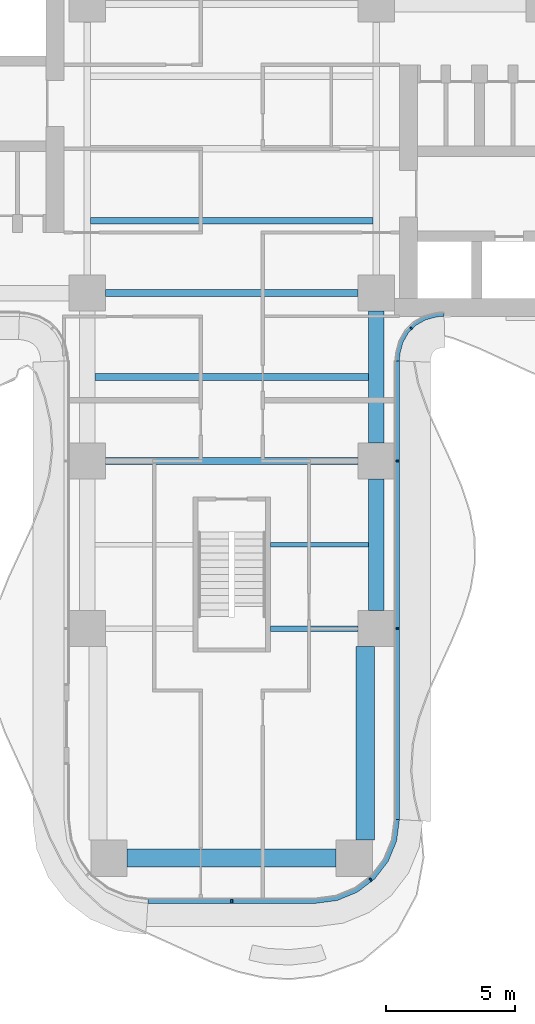
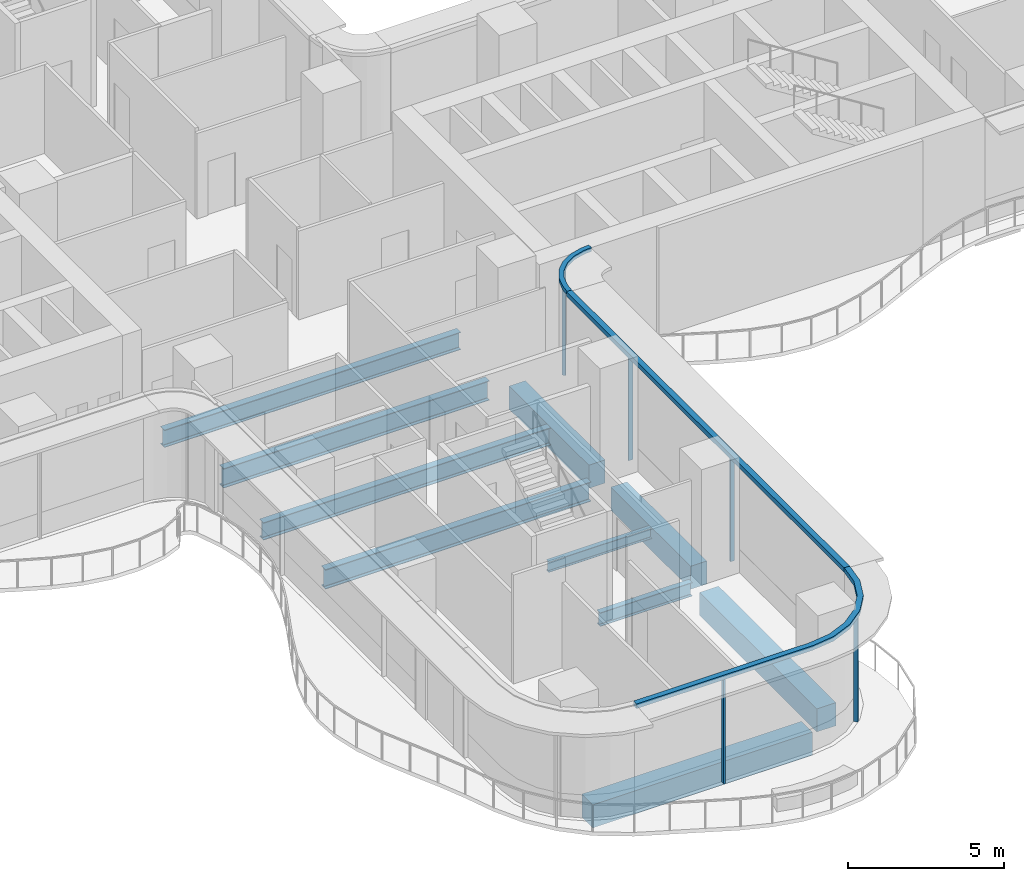
# One storey, part 5 of 22: 10 beams, 8 members, 3 elements without a shape of their own.
"""IFC4 building model written with IfcOpenShell, lengths in metres."""

from ifc_helpers import new_model, si_unit, direction, frame, origin, origin_2d, place, context, subcontext, project, spatial, polyline, rectangle, i_section, outline, extrude, source, transform, mapped, material, layer, layer_set, material_profile, profile_set, type_object, element, aggregate, save


model = new_model("IFC4")

# Units and contexts
model_context = context("Model", 3, precision=1e-05, world=origin(), true_north=direction((0.0, 1.0)))
body_context = subcontext(model_context, "Body", "Model", "MODEL_VIEW")
ifc_project = project(units=[si_unit("LENGTHUNIT", "METRE"), si_unit("AREAUNIT", "SQUARE_METRE"), si_unit("VOLUMEUNIT", "CUBIC_METRE"), si_unit("PLANEANGLEUNIT", "RADIAN"), si_unit("MASSUNIT", "GRAM", prefix="KILO")], contexts=[model_context])

# Site, building, storey
site_placement = place(None, origin())
site = spatial("IfcSite", under=ifc_project, at=site_placement, CompositionType="ELEMENT")
building_placement = place(site_placement, origin())
building = spatial("IfcBuilding", under=site, at=building_placement, Name="Trellis Farm Tower", CompositionType="ELEMENT")
storey_placement = place(building_placement, frame((0.0, 0.0, 56.5)))
storey = spatial("IfcBuildingStorey", under=building, at=storey_placement, Name="L11", CompositionType="ELEMENT", Elevation=56.5)

# Beams
ifc_material_1 = material(Name="Steel S355", Category="steel")
ifc_material_profile_1 = material_profile(ifc_material_1, i_section(OverallWidth=0.253662109375, OverallDepth=0.68359375, WebThickness=0.012451171875, FlangeThickness=0.021728515625, FilletRadius=0.01513671875, at=origin_2d()), Name="UB 686x254x140")
ifc_profile_set_1 = profile_set([ifc_material_profile_1], Name="Steel S355")
beam_type_1 = type_object("IfcBeamType", Name="UB 686x254x140 joist", PredefinedType="JOIST", material=ifc_profile_set_1)
shared_shape_1 = source(origin(), body_context, "Body", "SweptSolid", [
    extrude(i_section(OverallWidth=0.253662109375, OverallDepth=0.68359375, WebThickness=0.012451171875, FlangeThickness=0.021728515625, FilletRadius=0.01513671875, at=origin_2d()), origin(), (0.0, 0.0, 1.0), 10.93310546875),
])
beam_1_placement = place(storey_placement, frame((-5.466552734375, -2.800048828125, -0.591796875), z_axis=(1.0, 0.0, 0.0), x_axis=(0.0, 1.0, 0.0)))
element("IfcBeam", 1, at=beam_1_placement, inside=storey, type_object=beam_type_1, Name="Floor beam", PredefinedType="JOIST", context=body_context, shape_type="MappedRepresentation", body=[
    mapped(shared_shape_1, transform((0.0, 0.0, 0.0))),
])
ifc_material_profile_2 = material_profile(ifc_material_1, i_section(OverallWidth=0.209228515625, OverallDepth=0.533203125, WebThickness=0.010009765625, FlangeThickness=0.015625, FilletRadius=0.0126953125, at=origin_2d()), Name="UB 533x210x92")
ifc_profile_set_2 = profile_set([ifc_material_profile_2], Name="Steel S355")
beam_type_2 = type_object("IfcBeamType", Name="UB 533x210x92", PredefinedType="BEAM", material=ifc_profile_set_2)
shared_shape_2 = source(origin(), body_context, "Body", "SweptSolid", [
    extrude(i_section(OverallWidth=0.209228515625, OverallDepth=0.533203125, WebThickness=0.010009765625, FlangeThickness=0.015625, FilletRadius=0.0126953125, at=origin_2d()), origin(), (0.0, 0.0, 1.0), 3.39990234375),
])
beam_2_placement = place(storey_placement, frame((1.5, -18.60009765625, -0.5166015625), z_axis=(1.0, 0.0, 0.0), x_axis=(0.0, 1.0, 0.0)))
element("IfcBeam", 2, at=beam_2_placement, inside=storey, type_object=beam_type_2, Name="Girder", PredefinedType="BEAM", context=body_context, shape_type="MappedRepresentation", body=[
    mapped(shared_shape_2, transform((0.0, 0.0, 0.0))),
])
ifc_material_2 = material(Name="Concrete C60/75", Category="concrete")
ifc_material_profile_3 = material_profile(ifc_material_2, rectangle(XDim=0.60009765625, YDim=0.89990234375, at=origin_2d()), Name="RC spandrel beam 600x900 C60/75")
ifc_profile_set_3 = profile_set([ifc_material_profile_3], Name="Concrete C60/75")
beam_type_3 = type_object("IfcBeamType", Name="RC spandrel beam 600x900 C60/75", PredefinedType="SPANDREL", material=ifc_profile_set_3)
shared_shape_3 = source(origin(), body_context, "Body", "SweptSolid", [
    extrude(rectangle(XDim=0.60009765625, YDim=0.89990234375, at=origin_2d()), origin(), (0.0, 0.0, 1.0), 5.099853515625),
])
for number, where, z_axis, x_axis, name in (
    (3, (5.60009765625, -17.89990234375, -0.699951171875), (0.0, 1.0, 0.0), (-1.0, 0.0, 0.0), "Girder"),
    (4, (5.60009765625, -11.39990234375, -0.699951171875), (0.0, 1.0, 0.0), (-1.0, 0.0, 0.0), "Girder"),
):
    element("IfcBeam", number, at=place(storey_placement, frame(where, z_axis=z_axis, x_axis=x_axis)), inside=storey, type_object=beam_type_3, Name=name, PredefinedType="SPANDREL", context=body_context, shape_type="MappedRepresentation", body=[
        mapped(shared_shape_3, transform((0.0, 0.0, 0.0))),
    ])
ifc_material_profile_4 = material_profile(ifc_material_1, i_section(OverallWidth=0.2666015625, OverallDepth=0.76220703125, WebThickness=0.014404296875, FlangeThickness=0.021484375, FilletRadius=0.0166015625, at=origin_2d()), Name="UB 762x267x173")
ifc_profile_set_4 = profile_set([ifc_material_profile_4], Name="Steel S355")
beam_type_4 = type_object("IfcBeamType", Name="UB 762x267x173", PredefinedType="BEAM", material=ifc_profile_set_4)
shared_shape_4 = source(origin(), body_context, "Body", "SweptSolid", [
    extrude(i_section(OverallWidth=0.2666015625, OverallDepth=0.76220703125, WebThickness=0.014404296875, FlangeThickness=0.021484375, FilletRadius=0.0166015625, at=origin_2d()), origin(), (0.0, 0.0, 1.0), 9.7998046875),
])
for number, where, z_axis, x_axis, name in (
    (5, (-4.89990234375, -12.10009765625, -0.631103515625), (1.0, 0.0, 0.0), (0.0, 1.0, 0.0), "Girder"),
    (6, (-4.89990234375, -5.60009765625, -0.631103515625), (1.0, 0.0, 0.0), (0.0, 1.0, 0.0), "Girder"),
):
    element("IfcBeam", number, at=place(storey_placement, frame(where, z_axis=z_axis, x_axis=x_axis)), inside=storey, type_object=beam_type_4, Name=name, PredefinedType="BEAM", context=body_context, shape_type="MappedRepresentation", body=[
        mapped(shared_shape_4, transform((0.0, 0.0, 0.0))),
    ])
ifc_material_profile_5 = material_profile(ifc_material_2, rectangle(XDim=0.699951171875, YDim=0.89990234375, at=origin_2d()), Name="RC spandrel beam 700x900 C60/75")
ifc_profile_set_5 = profile_set([ifc_material_profile_5], Name="Concrete C60/75")
beam_type_5 = type_object("IfcBeamType", Name="RC spandrel beam 700x900 C60/75", PredefinedType="SPANDREL", material=ifc_profile_set_5)
shared_shape_5 = source(origin(), body_context, "Body", "SweptSolid", [
    extrude(rectangle(XDim=0.699951171875, YDim=0.89990234375, at=origin_2d()), origin(), (0.0, 0.0, 1.0), 8.10009765625),
])
beam_3_placement = place(storey_placement, frame((-4.050048828125, -27.5, -0.699951171875), z_axis=(1.0, 0.0, 0.0), x_axis=(0.0, 1.0, 0.0)))
element("IfcBeam", 7, at=beam_3_placement, inside=storey, type_object=beam_type_5, Name="Girder", PredefinedType="SPANDREL", context=body_context, shape_type="MappedRepresentation", body=[
    mapped(shared_shape_5, transform((0.0, 0.0, 0.0))),
])
shared_shape_6 = source(origin(), body_context, "Body", "SweptSolid", [
    extrude(rectangle(XDim=0.699951171875, YDim=0.89990234375, at=origin_2d()), origin(), (0.0, 0.0, 1.0), 7.5),
])
beam_4_placement = place(storey_placement, frame((5.175048828125, -26.800048828125, -0.699951171875), z_axis=(0.0, 1.0, 0.0), x_axis=(-1.0, 0.0, 0.0)))
element("IfcBeam", 8, at=beam_4_placement, inside=storey, type_object=beam_type_5, Name="Girder", PredefinedType="SPANDREL", context=body_context, shape_type="MappedRepresentation", body=[
    mapped(shared_shape_6, transform((0.0, 0.0, 0.0))),
])
ifc_material_profile_6 = material_profile(ifc_material_1, i_section(OverallWidth=0.177978515625, OverallDepth=0.406494140625, WebThickness=0.0078125, FlangeThickness=0.0126953125, FilletRadius=0.01025390625, at=origin_2d()), Name="UB 406x178x60")
ifc_profile_set_6 = profile_set([ifc_material_profile_6], Name="Steel S355")
beam_type_6 = type_object("IfcBeamType", Name="UB 406x178x60 joist", PredefinedType="JOIST", material=ifc_profile_set_6)
shared_shape_7 = source(origin(), body_context, "Body", "SweptSolid", [
    extrude(i_section(OverallWidth=0.177978515625, OverallDepth=0.406494140625, WebThickness=0.0078125, FlangeThickness=0.0126953125, FilletRadius=0.01025390625, at=origin_2d()), origin(), (0.0, 0.0, 1.0), 3.800048828125),
])
beam_5_placement = place(storey_placement, frame((1.5, -15.35009765625, -0.453125), z_axis=(1.0, 0.0, 0.0), x_axis=(0.0, 1.0, 0.0)))
element("IfcBeam", 9, at=beam_5_placement, inside=storey, type_object=beam_type_6, Name="Floor beam", PredefinedType="JOIST", context=body_context, shape_type="MappedRepresentation", body=[
    mapped(shared_shape_7, transform((0.0, 0.0, 0.0))),
])
shared_shape_8 = source(origin(), body_context, "Body", "SweptSolid", [
    extrude(i_section(OverallWidth=0.253662109375, OverallDepth=0.68359375, WebThickness=0.012451171875, FlangeThickness=0.021728515625, FilletRadius=0.01513671875, at=origin_2d()), origin(), (0.0, 0.0, 1.0), 10.60009765625),
])
beam_6_placement = place(storey_placement, frame((-5.300048828125, -8.85009765625, -0.591796875), z_axis=(1.0, 0.0, 0.0), x_axis=(0.0, 1.0, 0.0)))
element("IfcBeam", 10, at=beam_6_placement, inside=storey, type_object=beam_type_1, Name="Floor beam", PredefinedType="JOIST", context=body_context, shape_type="MappedRepresentation", body=[
    mapped(shared_shape_8, transform((0.0, 0.0, 0.0))),
])

# Curtain wall, members
ifc_material_3 = material(Name="Aluminium and glass curtain wall", Category="aluminium")
ifc_layer_1 = layer(ifc_material_3, 0.18994140625)
ifc_layer_set_1 = layer_set([ifc_layer_1], Name="RIBBON CURTAIN WALL CW1")
curtain_wall_type_1 = type_object("IfcCurtainWallType", Name="RIBBON CURTAIN WALL CW1", PredefinedType="NOTDEFINED", material=ifc_layer_set_1)
placement_1 = place(storey_placement, origin())
curtain_wall_1 = element("IfcCurtainWall", 11, at=placement_1, inside=storey, type_object=curtain_wall_type_1, Name="CW1 004", PredefinedType="NOTDEFINED")
ifc_material_4 = material(Name="Aluminium extrusion 6063-T6", Category="aluminium")
ifc_material_profile_7 = material_profile(ifc_material_4, rectangle(XDim=0.06005859375, YDim=0.14990234375, at=origin_2d()), Name="MULLION 60x150")
ifc_profile_set_7 = profile_set([ifc_material_profile_7], Name="Aluminium extrusion 6063-T6")
member_type_1 = type_object("IfcMemberType", Name="CW1 MULLION 60x150", PredefinedType="MULLION", material=ifc_profile_set_7)
shared_shape_9 = source(origin(), body_context, "Body", "SweptSolid", [
    extrude(rectangle(XDim=0.06005859375, YDim=0.14990234375, at=origin_2d()), origin(), (0.0, 0.0, 1.0), 4.070068359375),
])
member_1_placement = place(storey_placement, frame((0.0, -29.175048828125, 0.0), z_axis=(0.0, 0.0, 1.0), x_axis=(1.0, 0.0, 0.0)))
member_1 = element("IfcMember", 12, at=member_1_placement, type_object=member_type_1, Name="MU1 004-01", PredefinedType="MULLION", context=body_context, shape_type="MappedRepresentation", body=[
    mapped(shared_shape_9, transform((0.0, 0.0, 0.0))),
])
member_2_placement = place(storey_placement, frame((5.385498046875, -28.328369140625, 0.0), z_axis=(0.0, 0.0, 1.0), x_axis=(0.793353340291, 0.608761429009, 0.0)))
member_2 = element("IfcMember", 13, at=member_2_placement, type_object=member_type_1, Name="MU1 004-02", PredefinedType="MULLION", context=body_context, shape_type="MappedRepresentation", body=[
    mapped(shared_shape_9, transform((0.0, 0.0, 0.0))),
])

curtain_wall_2 = element("IfcCurtainWall", 14, at=placement_1, inside=storey, type_object=curtain_wall_type_1, Name="CW1 005", PredefinedType="NOTDEFINED")
member_3_placement = place(storey_placement, frame((6.425048828125, -18.60009765625, 0.0), z_axis=(0.0, 0.0, 1.0), x_axis=(0.0, 1.0, 0.0)))
member_3 = element("IfcMember", 15, at=member_3_placement, type_object=member_type_1, Name="MU1 005-01", PredefinedType="MULLION", context=body_context, shape_type="MappedRepresentation", body=[
    mapped(shared_shape_9, transform((0.0, 0.0, 0.0))),
])
member_4_placement = place(storey_placement, frame((6.425048828125, -12.10009765625, 0.0), z_axis=(0.0, 0.0, 1.0), x_axis=(0.0, 1.0, 0.0)))
member_4 = element("IfcMember", 16, at=member_4_placement, type_object=member_type_1, Name="MU1 005-02", PredefinedType="MULLION", context=body_context, shape_type="MappedRepresentation", body=[
    mapped(shared_shape_9, transform((0.0, 0.0, 0.0))),
])

# Curtain wall, member
ifc_layer_2 = layer(ifc_material_3, 0.166015625)
ifc_layer_set_2 = layer_set([ifc_layer_2], Name="WINTER GARDEN CURTAIN WALL CW3")
curtain_wall_type_2 = type_object("IfcCurtainWallType", Name="WINTER GARDEN CURTAIN WALL CW3", PredefinedType="NOTDEFINED", material=ifc_layer_set_2)
curtain_wall_3 = element("IfcCurtainWall", 17, at=placement_1, inside=storey, type_object=curtain_wall_type_2, Name="CW3 002", PredefinedType="NOTDEFINED")
ifc_material_profile_8 = material_profile(ifc_material_4, rectangle(XDim=0.050048828125, YDim=0.1201171875, at=origin_2d()), Name="MULLION 50x120")
ifc_profile_set_8 = profile_set([ifc_material_profile_8], Name="Aluminium extrusion 6063-T6")
member_type_2 = type_object("IfcMemberType", Name="CW3 MULLION 50x120", PredefinedType="MULLION", material=ifc_profile_set_8)
shared_shape_10 = source(origin(), body_context, "Body", "SweptSolid", [
    extrude(rectangle(XDim=0.050048828125, YDim=0.1201171875, at=origin_2d()), origin(), (0.0, 0.0, 1.0), 4.10009765625),
])
member_5_placement = place(storey_placement, frame((6.953125, -6.953125, 0.0), z_axis=(0.0, 0.0, 1.0), x_axis=(0.707106781187, 0.707106781187, 0.0)))
member_5 = element("IfcMember", 18, at=member_5_placement, type_object=member_type_2, Name="MU3 002-01", PredefinedType="MULLION", context=body_context, shape_type="MappedRepresentation", body=[
    mapped(shared_shape_10, transform((0.0, 0.0, 0.0))),
])

# Member
ifc_layer_3 = layer(ifc_material_4, 0.199951171875)
ifc_layer_set_3 = layer_set([ifc_layer_3], Name="Aluminium extrusion 6063-T6")
member_type_3 = type_object("IfcMemberType", Name="CW1 TRANSOM 200x180", PredefinedType="USERDEFINED", material=ifc_layer_set_3)
shared_shape_11 = source(origin(), body_context, "Body", "SweptSolid", [
    extrude(outline(polyline([(-3.25, -29.25), (3.25, -29.25), (4.091064453125, -29.13916015625), (4.875, -28.814697265625), (5.548095703125, -28.298095703125), (6.064697265625, -27.625), (6.38916015625, -26.841064453125), (6.5, -26.0), (6.300048828125, -25.98681640625), (6.1943359375, -26.7890625), (5.889892578125, -27.524169921875), (5.405517578125, -28.155517578125), (4.774169921875, -28.639892578125), (4.0390625, -28.9443359375), (3.23681640625, -29.050048828125), (-3.23681640625, -29.050048828125), (-3.25, -29.25)])), origin(), (0.0, 0.0, 1.0), 0.179931640625),
])
placement_2 = place(storey_placement, frame((0.0, 0.0, 4.070068359375)))
member_6 = element("IfcMember", 19, at=placement_2, type_object=member_type_3, Name="TR1 004", ObjectType="TRANSOM", PredefinedType="USERDEFINED", context=body_context, shape_type="MappedRepresentation", body=[
    mapped(shared_shape_11, transform((0.0, 0.0, 0.0))),
])

aggregate(curtain_wall_1, [member_1, member_2, member_6])

shared_shape_12 = source(origin(), body_context, "Body", "SweptSolid", [
    extrude(outline(polyline([(6.5, -26.0), (6.5, -8.2314453125), (6.300048828125, -8.224853515625), (6.300048828125, -25.98681640625), (6.5, -26.0)])), origin(), (0.0, 0.0, 1.0), 0.179931640625),
])
member_7 = element("IfcMember", 20, at=placement_2, type_object=member_type_3, Name="TR1 005", ObjectType="TRANSOM", PredefinedType="USERDEFINED", context=body_context, shape_type="MappedRepresentation", body=[
    mapped(shared_shape_12, transform((0.0, 0.0, 0.0))),
])

aggregate(curtain_wall_2, [member_3, member_4, member_7])

ifc_layer_4 = layer(ifc_material_4, 0.169921875)
ifc_layer_set_4 = layer_set([ifc_layer_4], Name="Aluminium extrusion 6063-T6")
member_type_4 = type_object("IfcMemberType", Name="CW3 TRANSOM 170x150", PredefinedType="USERDEFINED", material=ifc_layer_set_4)
shared_shape_13 = source(origin(), body_context, "Body", "SweptSolid", [
    extrude(outline(polyline([(6.5, -8.2314453125), (6.513916015625, -8.01953125), (6.527587890625, -7.91552734375), (6.63671875, -7.508544921875), (6.846923828125, -7.144287109375), (7.144287109375, -6.846923828125), (7.508544921875, -6.63671875), (7.91552734375, -6.527587890625), (8.01953125, -6.513916015625), (8.2314453125, -6.5), (8.225830078125, -6.330078125), (8.0029296875, -6.3447265625), (7.88232421875, -6.360595703125), (7.44287109375, -6.478271484375), (7.0400390625, -6.7109375), (6.7109375, -7.0400390625), (6.478271484375, -7.44287109375), (6.360595703125, -7.88232421875), (6.3447265625, -8.0029296875), (6.330078125, -8.225830078125), (6.5, -8.2314453125)])), origin(), (0.0, 0.0, 1.0), 0.14990234375),
])
member_8_placement = place(storey_placement, frame((0.0, 0.0, 4.10009765625)))
member_8 = element("IfcMember", 21, at=member_8_placement, type_object=member_type_4, Name="TR3 002", ObjectType="TRANSOM", PredefinedType="USERDEFINED", context=body_context, shape_type="MappedRepresentation", body=[
    mapped(shared_shape_13, transform((0.0, 0.0, 0.0))),
])

aggregate(curtain_wall_3, [member_5, member_8])

save(model, "model.ifc")
